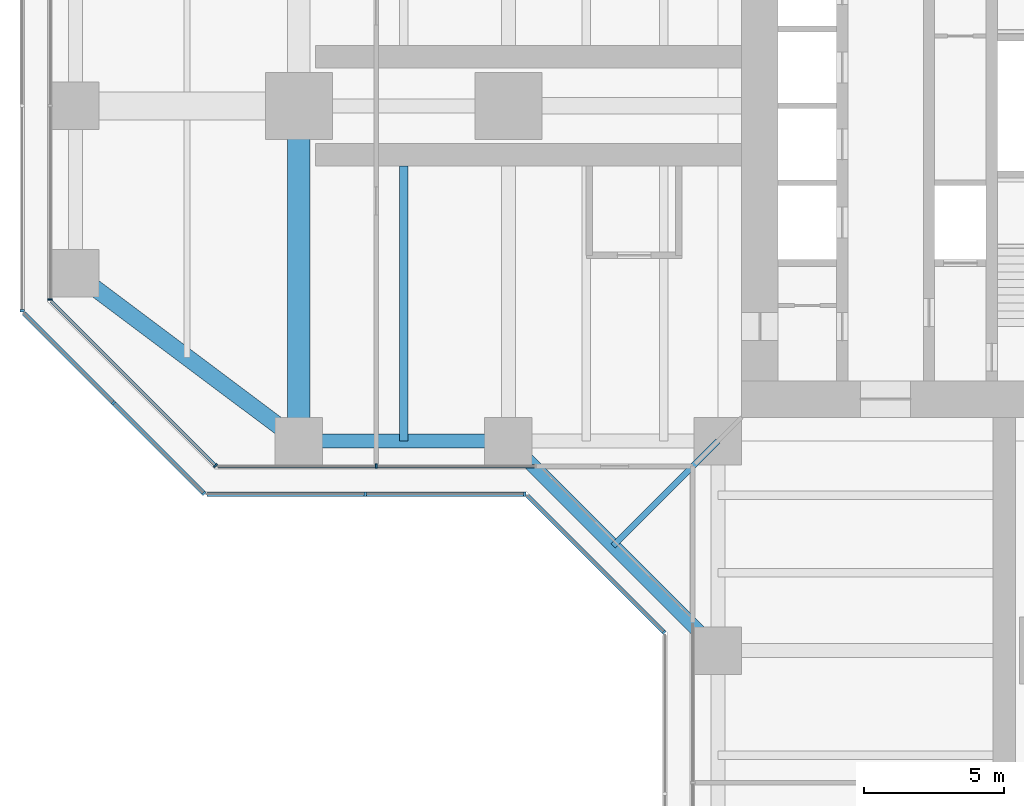
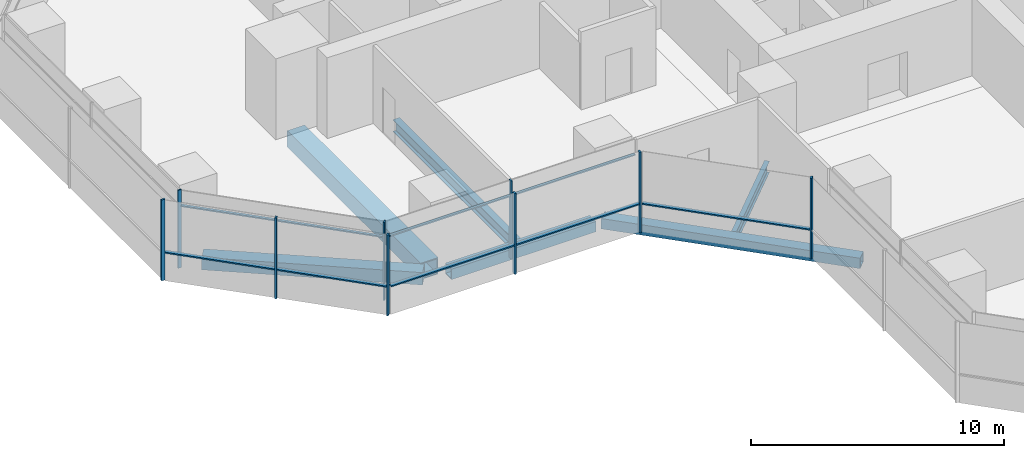
# One storey, part 3 of 22: 17 members, 6 beams, 7 elements without a shape of their own.
"""IFC4 building model written with IfcOpenShell, lengths in metres."""

import ifcopenshell
import ifcopenshell.guid

model = None  # the IFC model being written
_history = None  # IfcOwnerHistory: only IFC2X3 demands one
_inside = {}  # id of a spatial element -> (the spatial element, [elements in it])
_under = {}  # id of a project, library or spatial element -> (it, [spatial elements below it])
_declared = {}  # id of a project -> (the project, [libraries it declares])
_typed = {}  # id of a type object -> (the type object, [elements of that type])
_made_of = {}  # id of a material, layer set ... -> (it, [elements and type objects made of it])


def new_model(schema):
    """Start an empty IFC model of exactly this schema.

    Asked for "IFC4X3", IfcOpenShell would pick the latest addendum, in which some entities
    have other attributes; the version numbers below select the first issue.
    IFC2X3 requires an IfcOwnerHistory on every rooted entity: one is made here for all.
    """
    global model, _history
    if schema == "IFC4X3":
        model = ifcopenshell.file(schema_version=(4, 3, 0, 0))
    else:
        model = ifcopenshell.file(schema=schema)
    _inside.clear()
    _under.clear()
    _declared.clear()
    _typed.clear()
    _made_of.clear()
    _history = None
    if model.schema == "IFC2X3":
        org = make("IfcOrganization", Name="unknown")
        user = make(
            "IfcPersonAndOrganization",
            ThePerson=make("IfcPerson", FamilyName="unknown"),
            TheOrganization=org,
        )
        app = make(
            "IfcApplication",
            ApplicationDeveloper=org,
            Version="unknown",
            ApplicationFullName="unknown",
            ApplicationIdentifier="unknown",
        )
        _history = make(
            "IfcOwnerHistory",
            OwningUser=user,
            OwningApplication=app,
            ChangeAction="ADDED",
            CreationDate=0,
        )
    return model


def make(cls, **values):
    """One entity of the class cls with the attributes given. An attribute that is None is left unset."""
    return model.create_entity(
        cls, **{name: value for name, value in values.items() if value is not None}
    )


def rooted(cls, **values):
    """An entity with a GlobalId (a new one), such as an element, a storey or a relation."""
    return make(cls, GlobalId=ifcopenshell.guid.new(), OwnerHistory=_history, **values)


def si_unit(unit_type, name, prefix=None):
    """IfcSIUnit, for example si_unit("LENGTHUNIT", "METRE", prefix="MILLI")."""
    return make("IfcSIUnit", UnitType=unit_type, Prefix=prefix, Name=name)


def assignment(units):
    """IfcUnitAssignment: the units of a project."""
    return None if units is None else make("IfcUnitAssignment", Units=units)


def point(xyz):
    """IfcCartesianPoint."""
    return None if xyz is None else make("IfcCartesianPoint", Coordinates=xyz)


def direction(xyz):
    """IfcDirection."""
    return None if xyz is None else make("IfcDirection", DirectionRatios=xyz)


def frame(location, z_axis=None, x_axis=None):
    """IfcAxis2Placement3D, a coordinate frame: its origin and axes. An axis left out is left unset."""
    return make(
        "IfcAxis2Placement3D",
        Location=point(location),
        Axis=direction(z_axis),
        RefDirection=direction(x_axis),
    )


def frame_2d(location, x_axis=None):
    """IfcAxis2Placement2D, a coordinate frame in the plane: its origin and x axis."""
    return make(
        "IfcAxis2Placement2D", Location=point(location), RefDirection=direction(x_axis)
    )


def origin():
    """The frame at (0, 0, 0) with its axes left unset."""
    return frame((0.0, 0.0, 0.0))


def origin_2d():
    """The frame at (0, 0) in the plane with its x axis left unset."""
    return frame_2d((0.0, 0.0))


def place(relative_to, where):
    """IfcLocalPlacement: puts the frame where relative to a parent placement (None: the world)."""
    return make(
        "IfcLocalPlacement", PlacementRelTo=relative_to, RelativePlacement=where
    )


def context(
    kind, dimensions, precision=None, world=None, true_north=None, identifier=None
):
    """IfcGeometricRepresentationContext, for example the 3D "Model" context."""
    return make(
        "IfcGeometricRepresentationContext",
        ContextIdentifier=identifier,
        ContextType=kind,
        CoordinateSpaceDimension=dimensions,
        Precision=precision,
        WorldCoordinateSystem=world,
        TrueNorth=true_north,
    )


def subcontext(parent, identifier, kind, view, scale=None):
    """IfcGeometricRepresentationSubContext, for example "Body" below "Model"."""
    return make(
        "IfcGeometricRepresentationSubContext",
        ContextIdentifier=identifier,
        ContextType=kind,
        ParentContext=parent,
        TargetScale=scale,
        TargetView=view,
    )


def project(units=None, contexts=None):
    """IfcProject with its units and contexts."""
    return rooted(
        "IfcProject",
        Name="project",
        RepresentationContexts=contexts,
        UnitsInContext=assignment(units),
    )


def spatial(cls, under=None, at=None, **own):
    """A site, building, storey or space (cls), placed at a placement, below another one or the project."""
    s = rooted(cls, ObjectPlacement=at, **own)
    if under is not None:
        _under.setdefault(under.id(), (under, []))[1].append(s)
    return s


def profile(cls, at=None, kind="AREA", **sizes):
    """A parametric profile (cls). Its sizes go by their IFC names, for example OverallWidth=200.0."""
    return make(cls, ProfileType=kind, Position=at, **sizes)


def rectangle(**sizes):
    """IfcRectangleProfileDef."""
    return profile("IfcRectangleProfileDef", **sizes)


def hollow_rectangle(**sizes):
    """IfcRectangleHollowProfileDef."""
    return profile("IfcRectangleHollowProfileDef", **sizes)


def i_section(**sizes):
    """IfcIShapeProfileDef."""
    return profile("IfcIShapeProfileDef", **sizes)


def extrude(swept, where, along, depth):
    """IfcExtrudedAreaSolid: the profile swept, set in the frame where, extruded along a direction by depth."""
    return make(
        "IfcExtrudedAreaSolid",
        SweptArea=swept,
        Position=where,
        ExtrudedDirection=direction(along),
        Depth=depth,
    )


def shape(context_of_items, identifier, shape_type, items):
    """IfcShapeRepresentation: the items that make up one representation, for example the "Body"."""
    return make(
        "IfcShapeRepresentation",
        ContextOfItems=context_of_items,
        RepresentationIdentifier=identifier,
        RepresentationType=shape_type,
        Items=items,
    )


def material(Name=None, Category=None):
    """IfcMaterial."""
    return make("IfcMaterial", Name=Name, Category=Category)


def material_profile(
    of_material, cross_section, Name=None, Category=None, Priority=None
):
    """IfcMaterialProfile: a cross section and its material."""
    return make(
        "IfcMaterialProfile",
        Name=Name,
        Material=of_material,
        Profile=cross_section,
        Priority=Priority,
        Category=Category,
    )


def profile_set(profiles, Name=None, composite=None):
    """IfcMaterialProfileSet."""
    return make(
        "IfcMaterialProfileSet",
        Name=Name,
        MaterialProfiles=profiles,
        CompositeProfile=composite,
    )


def made_of(thing, what):
    """Note that an element or type object is made of a material, layer set ...; save() writes the relation."""
    if what is not None:
        _made_of.setdefault(what.id(), (what, []))[1].append(thing)
    return thing


def type_object(cls, material=None, **own):
    """A type object (cls), such as IfcWallType, which elements share."""
    return made_of(rooted(cls, **own), material)


def element(
    cls,
    number,
    at=None,
    inside=None,
    cuts=None,
    type_object=None,
    material=None,
    context=None,
    identifier="Body",
    shape_type=None,
    held_by="IfcProductDefinitionShape",
    body=None,
    shapes=None,
    **own,
):
    """One element of the class cls, such as IfcWall. Its Tag is "e" and its number.

    at: its placement. inside: the storey or other place that contains it. cuts: it is an
    opening in that element (IfcRelVoidsElement). A single representation is given by context,
    identifier, shape_type and body (its items); several are given by shapes. held_by: the class
    of the entity that holds the representations. save() writes the other relations.
    """
    e = rooted(cls, Tag="e%d" % number, ObjectPlacement=at, **own)
    if body is not None:
        shapes = [shape(context, identifier, shape_type, body)]
    if shapes is not None:
        e.Representation = make(held_by, Representations=shapes)
    if inside is not None:
        _inside.setdefault(inside.id(), (inside, []))[1].append(e)
    if cuts is not None:
        rooted(
            "IfcRelVoidsElement", RelatingBuildingElement=cuts, RelatedOpeningElement=e
        )
    if type_object is not None:
        _typed.setdefault(type_object.id(), (type_object, []))[1].append(e)
    return made_of(e, material)


def aggregate(whole, parts):
    """IfcRelAggregates: a whole, such as a stair, and the parts it consists of."""
    return rooted("IfcRelAggregates", RelatingObject=whole, RelatedObjects=parts)


def save(model, path):
    """Write the relations noted so far, then the file.

    IfcRelAggregates (storeys below a building ...), IfcRelContainedInSpatialStructure (elements
    in a storey), IfcRelDefinesByType, IfcRelAssociatesMaterial and IfcRelDeclares: one each for
    every whole, place, type object, material and project.
    """
    for whole, parts in _under.values():
        aggregate(whole, parts)
    for where, things in _inside.values():
        rooted(
            "IfcRelContainedInSpatialStructure",
            RelatedElements=things,
            RelatingStructure=where,
        )
    for kind, things in _typed.values():
        rooted("IfcRelDefinesByType", RelatedObjects=things, RelatingType=kind)
    for what, things in _made_of.values():
        rooted("IfcRelAssociatesMaterial", RelatedObjects=things, RelatingMaterial=what)
    for by, libraries in _declared.values():
        rooted("IfcRelDeclares", RelatingContext=by, RelatedDefinitions=libraries)
    model.write(path)


model = new_model("IFC4")

# Units and contexts
model_context = context("Model", 3, precision=1e-05, world=origin(), true_north=direction((0.0, 1.0)))
body_context = subcontext(model_context, "Body", "Model", "MODEL_VIEW")
ifc_project = project(units=[si_unit("LENGTHUNIT", "METRE"), si_unit("AREAUNIT", "SQUARE_METRE"), si_unit("VOLUMEUNIT", "CUBIC_METRE"), si_unit("PLANEANGLEUNIT", "RADIAN"), si_unit("MASSUNIT", "GRAM", prefix="KILO")], contexts=[model_context])

# Site, building, storey
site_placement = place(None, origin())
site = spatial("IfcSite", under=ifc_project, at=site_placement, CompositionType="ELEMENT")
building_placement = place(site_placement, origin())
building = spatial("IfcBuilding", under=site, at=building_placement, Name="Mizan Broadcast Tower", CompositionType="ELEMENT")
storey_placement = place(building_placement, frame((0.0, 0.0, 102.0)))
storey = spatial("IfcBuildingStorey", under=building, at=storey_placement, Name="L22", CompositionType="ELEMENT", Elevation=102.0)

# Beams
ifc_material_1 = material(Name="Steel S355", Category="steel")
ifc_material_profile_1 = material_profile(ifc_material_1, hollow_rectangle(XDim=0.5, YDim=0.5, WallThickness=0.030029296875, at=origin_2d()), Name="BOX 500x500x30")
ifc_profile_set_1 = profile_set([ifc_material_profile_1], Name="Steel S355")
beam_type_1 = type_object("IfcBeamType", Name="EDGE BEAM BOX 500x500x30", PredefinedType="SPANDREL", material=ifc_profile_set_1)
beam_1_placement = place(storey_placement, frame((-19.949951171875, -12.0, -0.3798828125), z_axis=(-1.0, 0.0, 0.0), x_axis=(0.0, -1.0, 0.0)))
element("IfcBeam", 1, at=beam_1_placement, inside=storey, type_object=beam_type_1, Name="Edge beam BOX 500x500x30 L22 west arm", PredefinedType="SPANDREL", context=body_context, shape_type="SweptSolid", body=[
    extrude(hollow_rectangle(XDim=0.5, YDim=0.5, WallThickness=0.030029296875, at=origin_2d()), origin(), (0.0, 0.0, 1.0), 6.60009765625),
])
beam_2_placement = place(storey_placement, frame((-19.5, -12.0, -0.3798828125), z_axis=(0.707106781187, -0.707106781187, 0.0), x_axis=(0.707106781187, 0.707106781187, 0.0)))
element("IfcBeam", 2, at=beam_2_placement, inside=storey, type_object=beam_type_1, Name="Winter garden edge beam L22 W", PredefinedType="SPANDREL", context=body_context, shape_type="SweptSolid", body=[
    extrude(hollow_rectangle(XDim=0.5, YDim=0.5, WallThickness=0.030029296875, at=origin_2d()), origin(), (0.0, 0.0, 1.0), 10.606689453125),
])
ifc_material_2 = material(Name="Steel S355", Category="steel")
ifc_material_profile_2 = material_profile(ifc_material_2, hollow_rectangle(XDim=0.60009765625, YDim=0.60009765625, WallThickness=0.030029296875, at=origin_2d()), Name="BOX 600x600x30")
ifc_profile_set_2 = profile_set([ifc_material_profile_2], Name="Steel S355")
beam_type_2 = type_object("IfcBeamType", Name="EDGE BEAM BOX 600x600x30", PredefinedType="SPANDREL", material=ifc_profile_set_2)
beam_3_placement = place(storey_placement, frame((-27.47998046875, -11.639892578125, -0.429931640625), z_axis=(-0.800013316712, 0.599982243973, 0.0), x_axis=(-0.599982243973, -0.800013316712, 0.0)))
element("IfcBeam", 3, at=beam_3_placement, inside=storey, type_object=beam_type_2, Name="Edge beam BOX 600x600x30 L22 west arm", PredefinedType="SPANDREL", context=body_context, shape_type="SweptSolid", body=[
    extrude(hollow_rectangle(XDim=0.60009765625, YDim=0.60009765625, WallThickness=0.030029296875, at=origin_2d()), origin(), (0.0, 0.0, 1.0), 8.7998046875),
])
ifc_material_3 = material(Name="Steel S460", Category="steel")
ifc_material_profile_3 = material_profile(ifc_material_3, hollow_rectangle(XDim=0.800048828125, YDim=0.800048828125, WallThickness=0.050048828125, at=origin_2d()), Name="BOX 800x800x50")
ifc_profile_set_3 = profile_set([ifc_material_profile_3], Name="Steel S460")
beam_type_3 = type_object("IfcBeamType", Name="GIRDER BOX 800x800x50", PredefinedType="BEAM", material=ifc_profile_set_3)
beam_4_placement = place(storey_placement, frame((-27.0, -11.280029296875, -0.530029296875), z_axis=(0.0, 1.0, 0.0), x_axis=(-1.0, 0.0, 0.0)))
element("IfcBeam", 4, at=beam_4_placement, inside=storey, type_object=beam_type_3, Name="Girder BOX 800x800x50 L22 west arm", PredefinedType="BEAM", context=body_context, shape_type="SweptSolid", body=[
    extrude(hollow_rectangle(XDim=0.800048828125, YDim=0.800048828125, WallThickness=0.050048828125, at=origin_2d()), origin(), (0.0, 0.0, 1.0), 10.56005859375),
])

# Curtain wall, member
ifc_material_4 = material(Name="Aluminium framed glazing", Category="aluminium")
curtain_wall_type_1 = type_object("IfcCurtainWallType", Name="INNER SKIN LOW ZONE", PredefinedType="USERDEFINED", material=ifc_material_4)
curtain_wall_1_placement = place(storey_placement, origin())
curtain_wall_1 = element("IfcCurtainWall", 5, at=curtain_wall_1_placement, inside=storey, type_object=curtain_wall_type_1, Name="Inner skin low zone L22 W end", ObjectType="INNER SKIN LOW ZONE", PredefinedType="USERDEFINED")
ifc_material_5 = material(Name="Aluminium, pale anodised", Category="aluminium")
ifc_material_profile_4 = material_profile(ifc_material_5, rectangle(XDim=0.159912109375, YDim=0.06005859375, at=origin_2d()), Name="MULLION 160x60")
ifc_profile_set_4 = profile_set([ifc_material_profile_4], Name="Aluminium, pale anodised")
member_type_1 = type_object("IfcMemberType", Name="INNER SKIN MULLION 60x160", PredefinedType="MULLION", material=ifc_profile_set_4)
member_1_placement = place(storey_placement, frame((-35.89990234375, -6.928466796875, 0.0), z_axis=(0.0, 0.0, 1.0), x_axis=(1.0, 0.0, 0.0)))
member_1 = element("IfcMember", 6, at=member_1_placement, type_object=member_type_1, Name="Inner skin low zone L22 W end mullion 3", PredefinedType="MULLION", context=body_context, shape_type="SweptSolid", body=[
    extrude(rectangle(XDim=0.159912109375, YDim=0.06005859375, at=origin_2d()), origin(), (0.0, 0.0, 1.0), 3.77001953125),
])
aggregate(curtain_wall_1, [member_1])

curtain_wall_2_placement = place(storey_placement, origin())
curtain_wall_2 = element("IfcCurtainWall", 7, at=curtain_wall_2_placement, inside=storey, type_object=curtain_wall_type_1, Name="Inner skin low zone L22 W chamfer", ObjectType="INNER SKIN LOW ZONE", PredefinedType="USERDEFINED")
member_2_placement = place(storey_placement, frame((-29.979736328125, -12.87890625, 0.0), z_axis=(0.0, 0.0, 1.0), x_axis=(0.707106781187, 0.707106781187, 0.0)))
member_2 = element("IfcMember", 8, at=member_2_placement, type_object=member_type_1, Name="Inner skin low zone L22 W chamfer mullion 2", PredefinedType="MULLION", context=body_context, shape_type="SweptSolid", body=[
    extrude(rectangle(XDim=0.159912109375, YDim=0.06005859375, at=origin_2d()), origin(), (0.0, 0.0, 1.0), 3.77001953125),
])

curtain_wall_3_placement = place(storey_placement, origin())
curtain_wall_3 = element("IfcCurtainWall", 9, at=curtain_wall_3_placement, inside=storey, type_object=curtain_wall_type_1, Name="Inner skin low zone L22 W side", ObjectType="INNER SKIN LOW ZONE", PredefinedType="USERDEFINED")
member_3_placement = place(storey_placement, frame((-24.229248046875, -12.89990234375, 0.0), z_axis=(0.0, 0.0, 1.0), x_axis=(0.0, 1.0, 0.0)))
member_3 = element("IfcMember", 10, at=member_3_placement, type_object=member_type_1, Name="Inner skin low zone L22 W side mullion 2", PredefinedType="MULLION", context=body_context, shape_type="SweptSolid", body=[
    extrude(rectangle(XDim=0.159912109375, YDim=0.06005859375, at=origin_2d()), origin(), (0.0, 0.0, 1.0), 3.77001953125),
])

# Member
ifc_material_6 = material(Name="Aluminium, pale anodised", Category="aluminium")
ifc_material_profile_5 = material_profile(ifc_material_6, rectangle(XDim=0.1201171875, YDim=0.06005859375, at=origin_2d()), Name="TRANSOM 120x60")
ifc_profile_set_5 = profile_set([ifc_material_profile_5], Name="Aluminium, pale anodised")
member_type_2 = type_object("IfcMemberType", Name="INNER SKIN TRANSOM 60x120", PredefinedType="USERDEFINED", material=ifc_profile_set_5)
member_4_placement = place(storey_placement, frame((-35.857666015625, -7.0009765625, 3.030029296875), z_axis=(0.707106781187, -0.707106781187, 0.0), x_axis=(0.707106781187, 0.707106781187, 0.0)))
member_4 = element("IfcMember", 11, at=member_4_placement, type_object=member_type_2, Name="Inner skin low zone L22 W chamfer transom 1.1", ObjectType="TRANSOM", PredefinedType="USERDEFINED", context=body_context, shape_type="SweptSolid", body=[
    extrude(rectangle(XDim=0.1201171875, YDim=0.06005859375, at=origin_2d()), origin(), (0.0, 0.0, 1.0), 8.28271484375),
])

aggregate(curtain_wall_2, [member_2, member_4])

member_5_placement = place(storey_placement, frame((-29.898681640625, -12.89990234375, 3.030029296875), z_axis=(1.0, 0.0, 0.0), x_axis=(0.0, 1.0, 0.0)))
member_5 = element("IfcMember", 12, at=member_5_placement, type_object=member_type_2, Name="Inner skin low zone L22 W side transom 1.1", ObjectType="TRANSOM", PredefinedType="USERDEFINED", context=body_context, shape_type="SweptSolid", body=[
    extrude(rectangle(XDim=0.1201171875, YDim=0.06005859375, at=origin_2d()), origin(), (0.0, 0.0, 1.0), 5.639404296875),
])

member_6_placement = place(storey_placement, frame((-24.19921875, -12.89990234375, 3.030029296875), z_axis=(1.0, 0.0, 0.0), x_axis=(0.0, 1.0, 0.0)))
member_6 = element("IfcMember", 13, at=member_6_placement, type_object=member_type_2, Name="Inner skin low zone L22 W side transom 2.1", ObjectType="TRANSOM", PredefinedType="USERDEFINED", context=body_context, shape_type="SweptSolid", body=[
    extrude(rectangle(XDim=0.1201171875, YDim=0.06005859375, at=origin_2d()), origin(), (0.0, 0.0, 1.0), 5.63916015625),
])

aggregate(curtain_wall_3, [member_3, member_5, member_6])

# Curtain wall, member
ifc_material_7 = material(Name="Aluminium framed glazing", Category="aluminium")
curtain_wall_type_2 = type_object("IfcCurtainWallType", Name="OUTER SKIN", PredefinedType="USERDEFINED", material=ifc_material_7)
curtain_wall_4_placement = place(storey_placement, origin())
curtain_wall_4 = element("IfcCurtainWall", 14, at=curtain_wall_4_placement, inside=storey, type_object=curtain_wall_type_2, Name="Outer skin L22 W end", ObjectType="OUTER SKIN", PredefinedType="USERDEFINED")
ifc_material_8 = material(Name="Aluminium, pale anodised", Category="aluminium")
ifc_material_profile_6 = material_profile(ifc_material_8, rectangle(XDim=0.159912109375, YDim=0.080078125, at=origin_2d()), Name="MULLION 160x80")
ifc_profile_set_6 = profile_set([ifc_material_profile_6], Name="Aluminium, pale anodised")
member_type_3 = type_object("IfcMemberType", Name="OUTER SKIN MULLION 80x160", PredefinedType="MULLION", material=ifc_profile_set_6)
member_7_placement = place(storey_placement, frame((-36.89990234375, -7.332763671875, 0.0), z_axis=(0.0, 0.0, 1.0), x_axis=(1.0, 0.0, 0.0)))
member_7 = element("IfcMember", 15, at=member_7_placement, type_object=member_type_3, Name="Outer skin L22 W end mullion 3", PredefinedType="MULLION", context=body_context, shape_type="SweptSolid", body=[
    extrude(rectangle(XDim=0.159912109375, YDim=0.080078125, at=origin_2d()), origin(), (0.0, 0.0, 1.0), 3.89990234375),
])
aggregate(curtain_wall_4, [member_7])

# Curtain wall, members
curtain_wall_5_placement = place(storey_placement, origin())
curtain_wall_5 = element("IfcCurtainWall", 16, at=curtain_wall_5_placement, inside=storey, type_object=curtain_wall_type_2, Name="Outer skin L22 W chamfer", ObjectType="OUTER SKIN", PredefinedType="USERDEFINED")
member_8_placement = place(storey_placement, frame((-33.636474609375, -10.636474609375, 0.0), z_axis=(0.0, 0.0, 1.0), x_axis=(0.707106781187, 0.707106781187, 0.0)))
member_8 = element("IfcMember", 17, at=member_8_placement, type_object=member_type_3, Name="Outer skin L22 W chamfer mullion 2", PredefinedType="MULLION", context=body_context, shape_type="SweptSolid", body=[
    extrude(rectangle(XDim=0.159912109375, YDim=0.080078125, at=origin_2d()), origin(), (0.0, 0.0, 1.0), 3.89990234375),
])
member_9_placement = place(storey_placement, frame((-30.401123046875, -13.871826171875, 0.0), z_axis=(0.0, 0.0, 1.0), x_axis=(0.707106781187, 0.707106781187, 0.0)))
member_9 = element("IfcMember", 18, at=member_9_placement, type_object=member_type_3, Name="Outer skin L22 W chamfer mullion 3", PredefinedType="MULLION", context=body_context, shape_type="SweptSolid", body=[
    extrude(rectangle(XDim=0.159912109375, YDim=0.080078125, at=origin_2d()), origin(), (0.0, 0.0, 1.0), 3.89990234375),
])

curtain_wall_6_placement = place(storey_placement, origin())
curtain_wall_6 = element("IfcCurtainWall", 19, at=curtain_wall_6_placement, inside=storey, type_object=curtain_wall_type_2, Name="Outer skin L22 W side", ObjectType="OUTER SKIN", PredefinedType="USERDEFINED")
member_10_placement = place(storey_placement, frame((-24.622802734375, -13.89990234375, 0.0), z_axis=(0.0, 0.0, 1.0), x_axis=(0.0, 1.0, 0.0)))
member_10 = element("IfcMember", 20, at=member_10_placement, type_object=member_type_3, Name="Outer skin L22 W side mullion 2", PredefinedType="MULLION", context=body_context, shape_type="SweptSolid", body=[
    extrude(rectangle(XDim=0.159912109375, YDim=0.080078125, at=origin_2d()), origin(), (0.0, 0.0, 1.0), 3.89990234375),
])
member_11_placement = place(storey_placement, frame((-18.912841796875, -13.89990234375, 0.0), z_axis=(0.0, 0.0, 1.0), x_axis=(0.0, 1.0, 0.0)))
member_11 = element("IfcMember", 21, at=member_11_placement, type_object=member_type_3, Name="Outer skin L22 W side mullion 3", PredefinedType="MULLION", context=body_context, shape_type="SweptSolid", body=[
    extrude(rectangle(XDim=0.159912109375, YDim=0.080078125, at=origin_2d()), origin(), (0.0, 0.0, 1.0), 3.89990234375),
])

# Curtain wall, member
curtain_wall_7_placement = place(storey_placement, origin())
curtain_wall_7 = element("IfcCurtainWall", 22, at=curtain_wall_7_placement, inside=storey, type_object=curtain_wall_type_2, Name="Outer skin L22 W chamfer", ObjectType="OUTER SKIN", PredefinedType="USERDEFINED")
member_12_placement = place(storey_placement, frame((-13.92822265625, -18.844482421875, 0.0), z_axis=(0.0, 0.0, 1.0), x_axis=(0.707106781187, 0.707106781187, 0.0)))
member_12 = element("IfcMember", 23, at=member_12_placement, type_object=member_type_3, Name="Outer skin L22 W chamfer mullion 2", PredefinedType="MULLION", context=body_context, shape_type="SweptSolid", body=[
    extrude(rectangle(XDim=0.159912109375, YDim=0.080078125, at=origin_2d()), origin(), (0.0, 0.0, 1.0), 3.89990234375),
])

# Member
ifc_material_9 = material(Name="Aluminium, pale anodised", Category="aluminium")
ifc_material_profile_7 = material_profile(ifc_material_9, rectangle(XDim=0.159912109375, YDim=0.06005859375, at=origin_2d()), Name="TRANSOM 160x60")
ifc_profile_set_7 = profile_set([ifc_material_profile_7], Name="Aluminium, pale anodised")
member_type_4 = type_object("IfcMemberType", Name="OUTER SKIN TRANSOM 60x160", PredefinedType="USERDEFINED", material=ifc_profile_set_7)
member_13_placement = place(storey_placement, frame((-36.843505859375, -7.429443359375, 1.39990234375), z_axis=(0.707106781187, -0.707106781187, 0.0), x_axis=(0.707106781187, 0.707106781187, 0.0)))
member_13 = element("IfcMember", 24, at=member_13_placement, type_object=member_type_4, Name="Outer skin L22 W chamfer transom 1.1", ObjectType="TRANSOM", PredefinedType="USERDEFINED", context=body_context, shape_type="SweptSolid", body=[
    extrude(rectangle(XDim=0.159912109375, YDim=0.06005859375, at=origin_2d()), origin(), (0.0, 0.0, 1.0), 4.495361328125),
])

member_14_placement = place(storey_placement, frame((-33.608154296875, -10.664794921875, 1.39990234375), z_axis=(0.707106781187, -0.707106781187, 0.0), x_axis=(0.707106781187, 0.707106781187, 0.0)))
member_14 = element("IfcMember", 25, at=member_14_placement, type_object=member_type_4, Name="Outer skin L22 W chamfer transom 2.1", ObjectType="TRANSOM", PredefinedType="USERDEFINED", context=body_context, shape_type="SweptSolid", body=[
    extrude(rectangle(XDim=0.159912109375, YDim=0.06005859375, at=origin_2d()), origin(), (0.0, 0.0, 1.0), 4.495361328125),
])

aggregate(curtain_wall_5, [member_8, member_9, member_13, member_14])

member_15_placement = place(storey_placement, frame((-30.292724609375, -13.89990234375, 1.39990234375), z_axis=(1.0, 0.0, 0.0), x_axis=(0.0, 1.0, 0.0)))
member_15 = element("IfcMember", 26, at=member_15_placement, type_object=member_type_4, Name="Outer skin L22 W side transom 1.1", ObjectType="TRANSOM", PredefinedType="USERDEFINED", context=body_context, shape_type="SweptSolid", body=[
    extrude(rectangle(XDim=0.159912109375, YDim=0.06005859375, at=origin_2d()), origin(), (0.0, 0.0, 1.0), 5.6298828125),
])

member_16_placement = place(storey_placement, frame((-24.582763671875, -13.89990234375, 1.39990234375), z_axis=(1.0, 0.0, 0.0), x_axis=(0.0, 1.0, 0.0)))
member_16 = element("IfcMember", 27, at=member_16_placement, type_object=member_type_4, Name="Outer skin L22 W side transom 2.1", ObjectType="TRANSOM", PredefinedType="USERDEFINED", context=body_context, shape_type="SweptSolid", body=[
    extrude(rectangle(XDim=0.159912109375, YDim=0.06005859375, at=origin_2d()), origin(), (0.0, 0.0, 1.0), 5.6298828125),
])

aggregate(curtain_wall_6, [member_10, member_11, member_15, member_16])

member_17_placement = place(storey_placement, frame((-18.816162109375, -13.95654296875, 1.39990234375), z_axis=(0.707106781187, -0.707106781187, 0.0), x_axis=(0.707106781187, 0.707106781187, 0.0)))
member_17 = element("IfcMember", 28, at=member_17_placement, type_object=member_type_4, Name="Outer skin L22 W chamfer transom 1.1", ObjectType="TRANSOM", PredefinedType="USERDEFINED", context=body_context, shape_type="SweptSolid", body=[
    extrude(rectangle(XDim=0.159912109375, YDim=0.06005859375, at=origin_2d()), origin(), (0.0, 0.0, 1.0), 6.87255859375),
])

aggregate(curtain_wall_7, [member_12, member_17])

# Beams
ifc_material_10 = material(Name="Steel S355", Category="steel")
ifc_material_profile_8 = material_profile(ifc_material_10, i_section(OverallWidth=0.300048828125, OverallDepth=0.590087890625, WebThickness=0.012939453125, FlangeThickness=0.02490234375, FilletRadius=0.027099609375, at=origin_2d()), Name="HEA 600")
ifc_profile_set_8 = profile_set([ifc_material_profile_8], Name="Steel S355")
beam_type_4 = type_object("IfcBeamType", Name="SECONDARY BEAM HEA 600", PredefinedType="JOIST", material=ifc_profile_set_8)
beam_5_placement = place(storey_placement, frame((-23.25, -12.0, -0.425048828125), z_axis=(0.0, 1.0, 0.0), x_axis=(-1.0, 0.0, 0.0)))
element("IfcBeam", 29, at=beam_5_placement, inside=storey, type_object=beam_type_4, Name="Secondary beam HEA 600 L22 west arm", PredefinedType="JOIST", context=body_context, shape_type="SweptSolid", body=[
    extrude(i_section(OverallWidth=0.300048828125, OverallDepth=0.590087890625, WebThickness=0.012939453125, FlangeThickness=0.02490234375, FilletRadius=0.027099609375, at=origin_2d()), origin(), (0.0, 0.0, 1.0), 9.85009765625),
])
ifc_material_11 = material(Name="Steel S355", Category="steel")
ifc_material_profile_9 = material_profile(ifc_material_11, i_section(OverallWidth=0.2099609375, OverallDepth=0.550048828125, WebThickness=0.010986328125, FlangeThickness=0.01708984375, FilletRadius=0.02392578125, at=origin_2d()), Name="IPE 550")
ifc_profile_set_9 = profile_set([ifc_material_profile_9], Name="Steel S355")
beam_type_5 = type_object("IfcBeamType", Name="SECONDARY BEAM IPE 550", PredefinedType="JOIST", material=ifc_profile_set_9)
beam_6_placement = place(storey_placement, frame((-12.0, -12.0, -0.405029296875), z_axis=(-0.707106781187, -0.707106781187, 0.0), x_axis=(0.707106781187, -0.707106781187, 0.0)))
element("IfcBeam", 30, at=beam_6_placement, inside=storey, type_object=beam_type_5, Name="Winter garden beam L22 W", PredefinedType="JOIST", context=body_context, shape_type="SweptSolid", body=[
    extrude(i_section(OverallWidth=0.2099609375, OverallDepth=0.550048828125, WebThickness=0.010986328125, FlangeThickness=0.01708984375, FilletRadius=0.02392578125, at=origin_2d()), origin(), (0.0, 0.0, 1.0), 5.30322265625),
])

save(model, "model.ifc")
